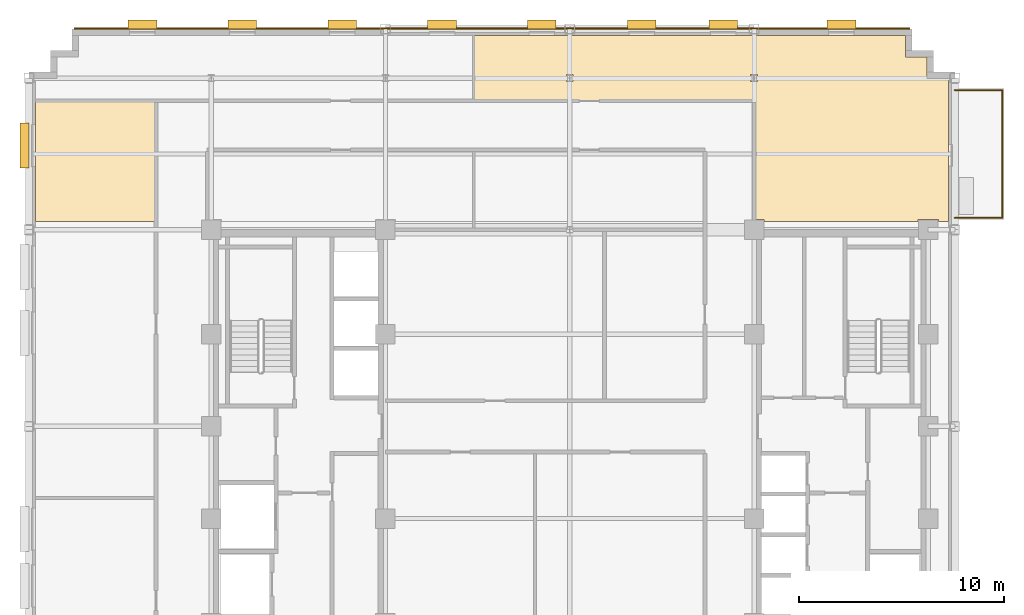
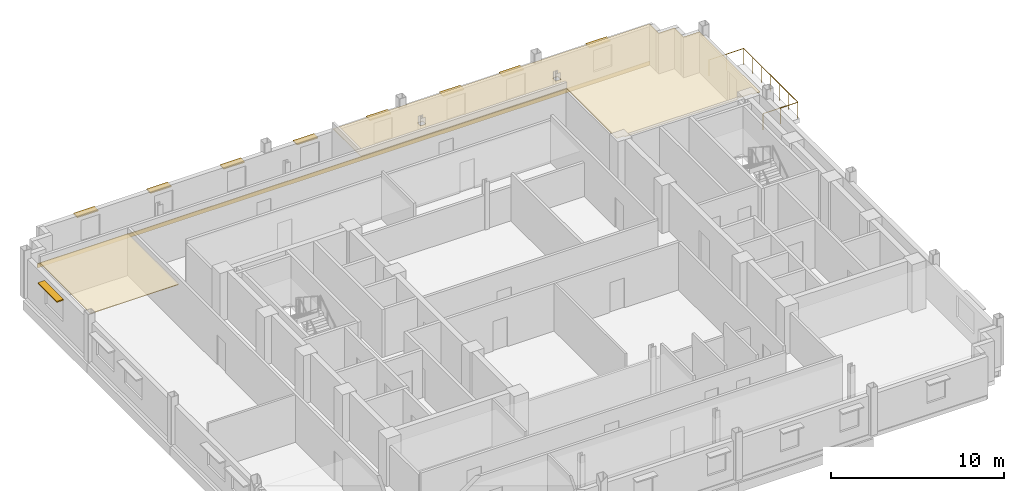
# One storey, part 13 of 13: 9 shading devices, 3 coverings, 1 railing.
"""IFC4 building model written with IfcOpenShell, lengths in metres."""

import ifcopenshell
import ifcopenshell.guid

model = None  # the IFC model being written
_history = None  # IfcOwnerHistory: only IFC2X3 demands one
_inside = {}  # id of a spatial element -> (the spatial element, [elements in it])
_under = {}  # id of a project, library or spatial element -> (it, [spatial elements below it])
_declared = {}  # id of a project -> (the project, [libraries it declares])
_typed = {}  # id of a type object -> (the type object, [elements of that type])
_made_of = {}  # id of a material, layer set ... -> (it, [elements and type objects made of it])


def new_model(schema):
    """Start an empty IFC model of exactly this schema.

    Asked for "IFC4X3", IfcOpenShell would pick the latest addendum, in which some entities
    have other attributes; the version numbers below select the first issue.
    IFC2X3 requires an IfcOwnerHistory on every rooted entity: one is made here for all.
    """
    global model, _history
    if schema == "IFC4X3":
        model = ifcopenshell.file(schema_version=(4, 3, 0, 0))
    else:
        model = ifcopenshell.file(schema=schema)
    _inside.clear()
    _under.clear()
    _declared.clear()
    _typed.clear()
    _made_of.clear()
    _history = None
    if model.schema == "IFC2X3":
        org = make("IfcOrganization", Name="unknown")
        user = make(
            "IfcPersonAndOrganization",
            ThePerson=make("IfcPerson", FamilyName="unknown"),
            TheOrganization=org,
        )
        app = make(
            "IfcApplication",
            ApplicationDeveloper=org,
            Version="unknown",
            ApplicationFullName="unknown",
            ApplicationIdentifier="unknown",
        )
        _history = make(
            "IfcOwnerHistory",
            OwningUser=user,
            OwningApplication=app,
            ChangeAction="ADDED",
            CreationDate=0,
        )
    return model


def make(cls, **values):
    """One entity of the class cls with the attributes given. An attribute that is None is left unset."""
    return model.create_entity(
        cls, **{name: value for name, value in values.items() if value is not None}
    )


def rooted(cls, **values):
    """An entity with a GlobalId (a new one), such as an element, a storey or a relation."""
    return make(cls, GlobalId=ifcopenshell.guid.new(), OwnerHistory=_history, **values)


def si_unit(unit_type, name, prefix=None):
    """IfcSIUnit, for example si_unit("LENGTHUNIT", "METRE", prefix="MILLI")."""
    return make("IfcSIUnit", UnitType=unit_type, Prefix=prefix, Name=name)


def assignment(units):
    """IfcUnitAssignment: the units of a project."""
    return None if units is None else make("IfcUnitAssignment", Units=units)


def point(xyz):
    """IfcCartesianPoint."""
    return None if xyz is None else make("IfcCartesianPoint", Coordinates=xyz)


def direction(xyz):
    """IfcDirection."""
    return None if xyz is None else make("IfcDirection", DirectionRatios=xyz)


def frame(location, z_axis=None, x_axis=None):
    """IfcAxis2Placement3D, a coordinate frame: its origin and axes. An axis left out is left unset."""
    return make(
        "IfcAxis2Placement3D",
        Location=point(location),
        Axis=direction(z_axis),
        RefDirection=direction(x_axis),
    )


def frame_2d(location, x_axis=None):
    """IfcAxis2Placement2D, a coordinate frame in the plane: its origin and x axis."""
    return make(
        "IfcAxis2Placement2D", Location=point(location), RefDirection=direction(x_axis)
    )


def origin():
    """The frame at (0, 0, 0) with its axes left unset."""
    return frame((0.0, 0.0, 0.0))


def origin_2d():
    """The frame at (0, 0) in the plane with its x axis left unset."""
    return frame_2d((0.0, 0.0))


def place(relative_to, where):
    """IfcLocalPlacement: puts the frame where relative to a parent placement (None: the world)."""
    return make(
        "IfcLocalPlacement", PlacementRelTo=relative_to, RelativePlacement=where
    )


def context(
    kind, dimensions, precision=None, world=None, true_north=None, identifier=None
):
    """IfcGeometricRepresentationContext, for example the 3D "Model" context."""
    return make(
        "IfcGeometricRepresentationContext",
        ContextIdentifier=identifier,
        ContextType=kind,
        CoordinateSpaceDimension=dimensions,
        Precision=precision,
        WorldCoordinateSystem=world,
        TrueNorth=true_north,
    )


def subcontext(parent, identifier, kind, view, scale=None):
    """IfcGeometricRepresentationSubContext, for example "Body" below "Model"."""
    return make(
        "IfcGeometricRepresentationSubContext",
        ContextIdentifier=identifier,
        ContextType=kind,
        ParentContext=parent,
        TargetScale=scale,
        TargetView=view,
    )


def project(units=None, contexts=None):
    """IfcProject with its units and contexts."""
    return rooted(
        "IfcProject",
        Name="project",
        RepresentationContexts=contexts,
        UnitsInContext=assignment(units),
    )


def spatial(cls, under=None, at=None, **own):
    """A site, building, storey or space (cls), placed at a placement, below another one or the project."""
    s = rooted(cls, ObjectPlacement=at, **own)
    if under is not None:
        _under.setdefault(under.id(), (under, []))[1].append(s)
    return s


def polyline(points):
    """IfcPolyline through the points."""
    return make("IfcPolyline", Points=[point(p) for p in points])


def profile(cls, at=None, kind="AREA", **sizes):
    """A parametric profile (cls). Its sizes go by their IFC names, for example OverallWidth=200.0."""
    return make(cls, ProfileType=kind, Position=at, **sizes)


def rectangle(**sizes):
    """IfcRectangleProfileDef."""
    return profile("IfcRectangleProfileDef", **sizes)


def circle(**sizes):
    """IfcCircleProfileDef."""
    return profile("IfcCircleProfileDef", **sizes)


def outline(outer, holes=None, kind="AREA"):
    """IfcArbitraryClosedProfileDef: a profile drawn as a closed curve; with holes, ...WithVoids."""
    if holes is None:
        return make("IfcArbitraryClosedProfileDef", ProfileType=kind, OuterCurve=outer)
    return make(
        "IfcArbitraryProfileDefWithVoids",
        ProfileType=kind,
        OuterCurve=outer,
        InnerCurves=holes,
    )


def extrude(swept, where, along, depth):
    """IfcExtrudedAreaSolid: the profile swept, set in the frame where, extruded along a direction by depth."""
    return make(
        "IfcExtrudedAreaSolid",
        SweptArea=swept,
        Position=where,
        ExtrudedDirection=direction(along),
        Depth=depth,
    )


def shape(context_of_items, identifier, shape_type, items):
    """IfcShapeRepresentation: the items that make up one representation, for example the "Body"."""
    return make(
        "IfcShapeRepresentation",
        ContextOfItems=context_of_items,
        RepresentationIdentifier=identifier,
        RepresentationType=shape_type,
        Items=items,
    )


def source(mapping_origin, context_of_items, identifier, shape_type, items):
    """IfcRepresentationMap: a shape defined once, which mapped items show again and again."""
    return make(
        "IfcRepresentationMap",
        MappingOrigin=mapping_origin,
        MappedRepresentation=shape(context_of_items, identifier, shape_type, items),
    )


def transform(
    local_origin,
    x_axis=None,
    y_axis=None,
    z_axis=None,
    scale=None,
    scale2=None,
    scale3=None,
    uniform=True,
):
    """IfcCartesianTransformationOperator3D, or its non-uniform kind. x_axis, y_axis, z_axis: its Axis1, 2, 3."""
    if uniform:
        return make(
            "IfcCartesianTransformationOperator3D",
            Axis1=direction(x_axis),
            Axis2=direction(y_axis),
            LocalOrigin=point(local_origin),
            Scale=scale,
            Axis3=direction(z_axis),
        )
    return make(
        "IfcCartesianTransformationOperator3DnonUniform",
        Axis1=direction(x_axis),
        Axis2=direction(y_axis),
        LocalOrigin=point(local_origin),
        Scale=scale,
        Axis3=direction(z_axis),
        Scale2=scale2,
        Scale3=scale3,
    )


def mapped(mapping_source, mapping_target):
    """IfcMappedItem: shows the shape of a source again, moved by a transform."""
    return make(
        "IfcMappedItem", MappingSource=mapping_source, MappingTarget=mapping_target
    )


def material(Name=None, Category=None):
    """IfcMaterial."""
    return make("IfcMaterial", Name=Name, Category=Category)


def layer(
    of_material, thickness, ventilated=None, Name=None, Category=None, Priority=None
):
    """IfcMaterialLayer: one layer of a wall or slab, of a material (None: an air gap)."""
    return make(
        "IfcMaterialLayer",
        Material=of_material,
        LayerThickness=thickness,
        IsVentilated=ventilated,
        Name=Name,
        Category=Category,
        Priority=Priority,
    )


def layer_set(layers, Name=None):
    """IfcMaterialLayerSet."""
    return make("IfcMaterialLayerSet", MaterialLayers=layers, LayerSetName=Name)


def made_of(thing, what):
    """Note that an element or type object is made of a material, layer set ...; save() writes the relation."""
    if what is not None:
        _made_of.setdefault(what.id(), (what, []))[1].append(thing)
    return thing


def type_object(cls, material=None, **own):
    """A type object (cls), such as IfcWallType, which elements share."""
    return made_of(rooted(cls, **own), material)


def type_shapes(of_type, sources):
    """Give a type object the sources (RepresentationMaps) that its elements show as mapped items."""
    of_type.RepresentationMaps = sources


def element(
    cls,
    number,
    at=None,
    inside=None,
    cuts=None,
    type_object=None,
    material=None,
    context=None,
    identifier="Body",
    shape_type=None,
    held_by="IfcProductDefinitionShape",
    body=None,
    shapes=None,
    **own,
):
    """One element of the class cls, such as IfcWall. Its Tag is "e" and its number.

    at: its placement. inside: the storey or other place that contains it. cuts: it is an
    opening in that element (IfcRelVoidsElement). A single representation is given by context,
    identifier, shape_type and body (its items); several are given by shapes. held_by: the class
    of the entity that holds the representations. save() writes the other relations.
    """
    e = rooted(cls, Tag="e%d" % number, ObjectPlacement=at, **own)
    if body is not None:
        shapes = [shape(context, identifier, shape_type, body)]
    if shapes is not None:
        e.Representation = make(held_by, Representations=shapes)
    if inside is not None:
        _inside.setdefault(inside.id(), (inside, []))[1].append(e)
    if cuts is not None:
        rooted(
            "IfcRelVoidsElement", RelatingBuildingElement=cuts, RelatedOpeningElement=e
        )
    if type_object is not None:
        _typed.setdefault(type_object.id(), (type_object, []))[1].append(e)
    return made_of(e, material)


def aggregate(whole, parts):
    """IfcRelAggregates: a whole, such as a stair, and the parts it consists of."""
    return rooted("IfcRelAggregates", RelatingObject=whole, RelatedObjects=parts)


def save(model, path):
    """Write the relations noted so far, then the file.

    IfcRelAggregates (storeys below a building ...), IfcRelContainedInSpatialStructure (elements
    in a storey), IfcRelDefinesByType, IfcRelAssociatesMaterial and IfcRelDeclares: one each for
    every whole, place, type object, material and project.
    """
    for whole, parts in _under.values():
        aggregate(whole, parts)
    for where, things in _inside.values():
        rooted(
            "IfcRelContainedInSpatialStructure",
            RelatedElements=things,
            RelatingStructure=where,
        )
    for kind, things in _typed.values():
        rooted("IfcRelDefinesByType", RelatedObjects=things, RelatingType=kind)
    for what, things in _made_of.values():
        rooted("IfcRelAssociatesMaterial", RelatedObjects=things, RelatingMaterial=what)
    for by, libraries in _declared.values():
        rooted("IfcRelDeclares", RelatingContext=by, RelatedDefinitions=libraries)
    model.write(path)


model = new_model("IFC4")

# Units and contexts
model_context = context("Model", 3, precision=1e-05, world=origin(), true_north=direction((0.0, 1.0)))
body_context = subcontext(model_context, "Body", "Model", "MODEL_VIEW")
ifc_project = project(units=[si_unit("LENGTHUNIT", "METRE"), si_unit("AREAUNIT", "SQUARE_METRE"), si_unit("VOLUMEUNIT", "CUBIC_METRE"), si_unit("PLANEANGLEUNIT", "RADIAN"), si_unit("MASSUNIT", "GRAM", prefix="KILO")], contexts=[model_context])

# Site, building, storey
site_placement = place(None, origin())
site = spatial("IfcSite", under=ifc_project, at=site_placement, CompositionType="ELEMENT")
building_placement = place(site_placement, origin())
building = spatial("IfcBuilding", under=site, at=building_placement, Name="Nuvemarco Arch Tower", CompositionType="ELEMENT")
storey_placement = place(building_placement, frame((0.0, 0.0, 220.10009765625)))
storey = spatial("IfcBuildingStorey", under=building, at=storey_placement, Name="L58", CompositionType="ELEMENT", Elevation=220.10009765625)

# Coverings
ifc_material_1 = material(Name="Mineral acoustic ceiling tile")
ifc_layer_1 = layer(ifc_material_1, 0.0400390625, Name="COV-ACOUSTIC-CLG")
ifc_layer_set_1 = layer_set([ifc_layer_1], Name="Mineral acoustic ceiling tile")
covering_type_1 = type_object("IfcCoveringType", Name="COV-ACOUSTIC-CLG", PredefinedType="CEILING", material=ifc_layer_set_1)
covering_1_placement = place(storey_placement, frame((0.0, 0.0, 2.849853515625)))
element("IfcCovering", 1, at=covering_1_placement, inside=storey, type_object=covering_type_1, Name="L58 suspended acoustic ceiling 2", PredefinedType="CEILING", context=body_context, shape_type="SweptSolid", body=[
    extrude(outline(polyline([(18.489990234375, 16.989990234375), (18.489990234375, 10.0), (17.989990234375, 10.0), (17.989990234375, 10.090087890625), (17.010009765625, 10.090087890625), (17.010009765625, 10.0), (9.489990234375, 10.0), (9.489990234375, 10.090087890625), (9.0, 10.090087890625), (9.0, 13.5), (9.0, 15.89990234375), (6.60009765625, 15.89990234375), (-4.68994140625, 15.89990234375), (-4.68994140625, 19.090087890625), (16.389892578125, 19.090087890625), (16.389892578125, 18.0400390625), (17.43994140625, 18.0400390625), (17.43994140625, 16.989990234375), (18.489990234375, 16.989990234375)]), holes=[polyline([(0.169921875, 16.830078125), (0.169921875, 17.169921875), (-0.169921875, 17.169921875), (-0.169921875, 16.830078125), (0.169921875, 16.830078125)]), polyline([(9.169921875, 17.169921875), (8.830078125, 17.169921875), (8.830078125, 16.830078125), (9.169921875, 16.830078125), (9.169921875, 17.169921875)])]), origin(), (0.0, 0.0, 1.0), 0.0400390625),
])
covering_2_placement = place(storey_placement, frame((0.0, 0.0, 2.849853515625)))
element("IfcCovering", 2, at=covering_2_placement, inside=storey, type_object=covering_type_1, Name="L58 suspended acoustic ceiling 3", PredefinedType="CEILING", context=body_context, shape_type="SweptSolid", body=[
    extrude(outline(polyline([(-20.199951171875, 10.0), (-26.090087890625, 10.0), (-26.090087890625, 15.89990234375), (-20.199951171875, 15.89990234375), (-20.199951171875, 13.5), (-20.199951171875, 10.0)])), origin(), (0.0, 0.0, 1.0), 0.0400390625),
])

# Railing
ifc_material_2 = material(Name="Dark anodised balustrade steel S355", Category="steel")
railing_type = type_object("IfcRailingType", Name="RL-TERR-GUARD", PredefinedType="BALUSTRADE", material=ifc_material_2)
railing_placement = place(storey_placement, frame((18.800048828125, 10.179931640625, 0.0)))
element("IfcRailing", 3, at=railing_placement, inside=storey, type_object=railing_type, Name="L58 spiral terrace perimeter balustrade guard", PredefinedType="BALUSTRADE", context=body_context, shape_type="SweptSolid", body=[
    extrude(circle(Radius=0.02392578125, at=origin_2d()), frame((0.0, 0.0, 1.1259765625), z_axis=(1.0, 0.0, 0.0), x_axis=(0.0, 1.0, 0.0)), (0.0, 0.0, 1.0), 2.320068359375),
    extrude(circle(Radius=0.02392578125, at=origin_2d()), frame((2.320068359375, 0.0, 1.1259765625), z_axis=(0.0, 1.0, 0.0), x_axis=(-1.0, 0.0, 0.0)), (0.0, 0.0, 1.0), 6.239990234375),
    extrude(circle(Radius=0.02392578125, at=origin_2d()), frame((2.320068359375, 6.239990234375, 1.1259765625), z_axis=(-1.0, 0.0, 0.0), x_axis=(0.0, -1.0, 0.0)), (0.0, 0.0, 1.0), 2.320068359375),
    extrude(circle(Radius=0.02099609375, at=origin_2d()), origin(), (0.0, 0.0, 1.0), 1.101806640625),
    extrude(circle(Radius=0.02099609375, at=origin_2d()), frame((1.16015625, 0.0, 0.0)), (0.0, 0.0, 1.0), 1.101806640625),
    extrude(circle(Radius=0.02099609375, at=origin_2d()), frame((2.320068359375, 0.0, 0.0)), (0.0, 0.0, 1.0), 1.101806640625),
    extrude(circle(Radius=0.02099609375, at=origin_2d()), frame((2.320068359375, 1.0400390625, 0.0)), (0.0, 0.0, 1.0), 1.101806640625),
    extrude(circle(Radius=0.02099609375, at=origin_2d()), frame((2.320068359375, 2.080078125, 0.0)), (0.0, 0.0, 1.0), 1.101806640625),
    extrude(circle(Radius=0.02099609375, at=origin_2d()), frame((2.320068359375, 3.1201171875, 0.0)), (0.0, 0.0, 1.0), 1.101806640625),
    extrude(circle(Radius=0.02099609375, at=origin_2d()), frame((2.320068359375, 4.159912109375, 0.0)), (0.0, 0.0, 1.0), 1.101806640625),
    extrude(circle(Radius=0.02099609375, at=origin_2d()), frame((2.320068359375, 5.199951171875, 0.0)), (0.0, 0.0, 1.0), 1.101806640625),
    extrude(circle(Radius=0.02099609375, at=origin_2d()), frame((2.320068359375, 6.239990234375, 0.0)), (0.0, 0.0, 1.0), 1.101806640625),
    extrude(circle(Radius=0.02099609375, at=origin_2d()), frame((1.16015625, 6.239990234375, 0.0)), (0.0, 0.0, 1.0), 1.101806640625),
    extrude(circle(Radius=0.02099609375, at=origin_2d()), frame((0.0, 6.239990234375, 0.0)), (0.0, 0.0, 1.0), 1.101806640625),
])

# Shading devices
ifc_material_3 = material(Name="Anodised aluminium 6063-T6", Category="aluminium")
shading_device_type_1 = type_object("IfcShadingDeviceType", Name="SHD-BRISE-SOLEIL", PredefinedType="USERDEFINED", material=ifc_material_3)
shared_shape_1 = source(origin(), body_context, "Body", "SweptSolid", [
    extrude(rectangle(XDim=2.199951171875, YDim=0.449951171875, at=origin_2d()), origin(), (0.0, 0.0, 1.0), 0.080078125),
])
type_shapes(shading_device_type_1, [shared_shape_1])
shading_device_placement = place(storey_placement, frame((-26.614990234375, 13.708984375, 2.324951171875), z_axis=(0.0, 0.0, 1.0), x_axis=(0.0, 1.0, 0.0)))
element("IfcShadingDevice", 4, at=shading_device_placement, inside=storey, type_object=shading_device_type_1, Name="L58 horizontal brise-soleil sunshade", ObjectType="SUNSHADE", PredefinedType="USERDEFINED", context=body_context, shape_type="MappedRepresentation", body=[
    mapped(shared_shape_1, transform((0.0, 0.0, 0.0), scale=1.0)),
])
shading_device_type_2 = type_object("IfcShadingDeviceType", Name="SHD-BRISE-NARROW", PredefinedType="USERDEFINED", material=ifc_material_3)
shared_shape_2 = source(origin(), body_context, "Body", "SweptSolid", [
    extrude(rectangle(XDim=1.39990234375, YDim=0.449951171875, at=origin_2d()), origin(), (0.0, 0.0, 1.0), 0.080078125),
])
type_shapes(shading_device_type_2, [shared_shape_2])
for number, where, z_axis, x_axis, name in (
    (5, (-20.862548828125, 19.614990234375, 2.324951171875), (0.0, 0.0, 1.0), (1.0, 0.0, 0.0), "L58 horizontal brise-soleil sunshade"),
    (6, (-15.987548828125, 19.614990234375, 2.324951171875), (0.0, 0.0, 1.0), (1.0, 0.0, 0.0), "L58 horizontal brise-soleil sunshade"),
    (7, (-11.112548828125, 19.614990234375, 2.324951171875), (0.0, 0.0, 1.0), (1.0, 0.0, 0.0), "L58 horizontal brise-soleil sunshade"),
    (8, (-6.237548828125, 19.614990234375, 2.324951171875), (0.0, 0.0, 1.0), (1.0, 0.0, 0.0), "L58 horizontal brise-soleil sunshade"),
    (9, (-1.362548828125, 19.614990234375, 2.324951171875), (0.0, 0.0, 1.0), (1.0, 0.0, 0.0), "L58 horizontal brise-soleil sunshade"),
    (10, (3.512451171875, 19.614990234375, 2.324951171875), (0.0, 0.0, 1.0), (1.0, 0.0, 0.0), "L58 horizontal brise-soleil sunshade"),
    (11, (7.487548828125, 19.614990234375, 2.324951171875), (0.0, 0.0, 1.0), (1.0, 0.0, 0.0), "L58 horizontal brise-soleil sunshade"),
    (12, (13.262451171875, 19.614990234375, 2.324951171875), (0.0, 0.0, 1.0), (1.0, 0.0, 0.0), "L58 horizontal brise-soleil sunshade"),
):
    element("IfcShadingDevice", number, at=place(storey_placement, frame(where, z_axis=z_axis, x_axis=x_axis)), inside=storey, type_object=shading_device_type_2, Name=name, ObjectType="SUNSHADE", PredefinedType="USERDEFINED", context=body_context, shape_type="MappedRepresentation", body=[
        mapped(shared_shape_2, transform((0.0, 0.0, 0.0), scale=1.0)),
    ])

# Covering
ifc_material_4 = material(Name="Precast concrete C45/55", Category="concrete")
ifc_layer_2 = layer(ifc_material_4, 0.06005859375, Name="COV-SPANDREL-CLAD")
ifc_layer_set_2 = layer_set([ifc_layer_2], Name="Precast concrete C45/55")
covering_type_2 = type_object("IfcCoveringType", Name="COV-SPANDREL-CLAD", PredefinedType="CLADDING", material=ifc_layer_set_2)
shared_shape_3 = source(origin(), body_context, "Body", "SweptSolid", [
    extrude(rectangle(XDim=40.800048828125, YDim=0.06005859375, at=origin_2d()), origin(), (0.0, 0.0, 1.0), 0.280029296875),
])
type_shapes(covering_type_2, [shared_shape_3])
covering_3_placement = place(storey_placement, frame((-3.800048828125, 19.428955078125, -0.2802734375), z_axis=(0.0, 0.0, 1.0), x_axis=(1.0, 0.0, 0.0)))
element("IfcCovering", 13, at=covering_3_placement, inside=storey, type_object=covering_type_2, Name="L58 precast spandrel edge cladding north", PredefinedType="CLADDING", context=body_context, shape_type="MappedRepresentation", body=[
    mapped(shared_shape_3, transform((0.0, 0.0, 0.0), scale=1.0)),
])

save(model, "model.ifc")
